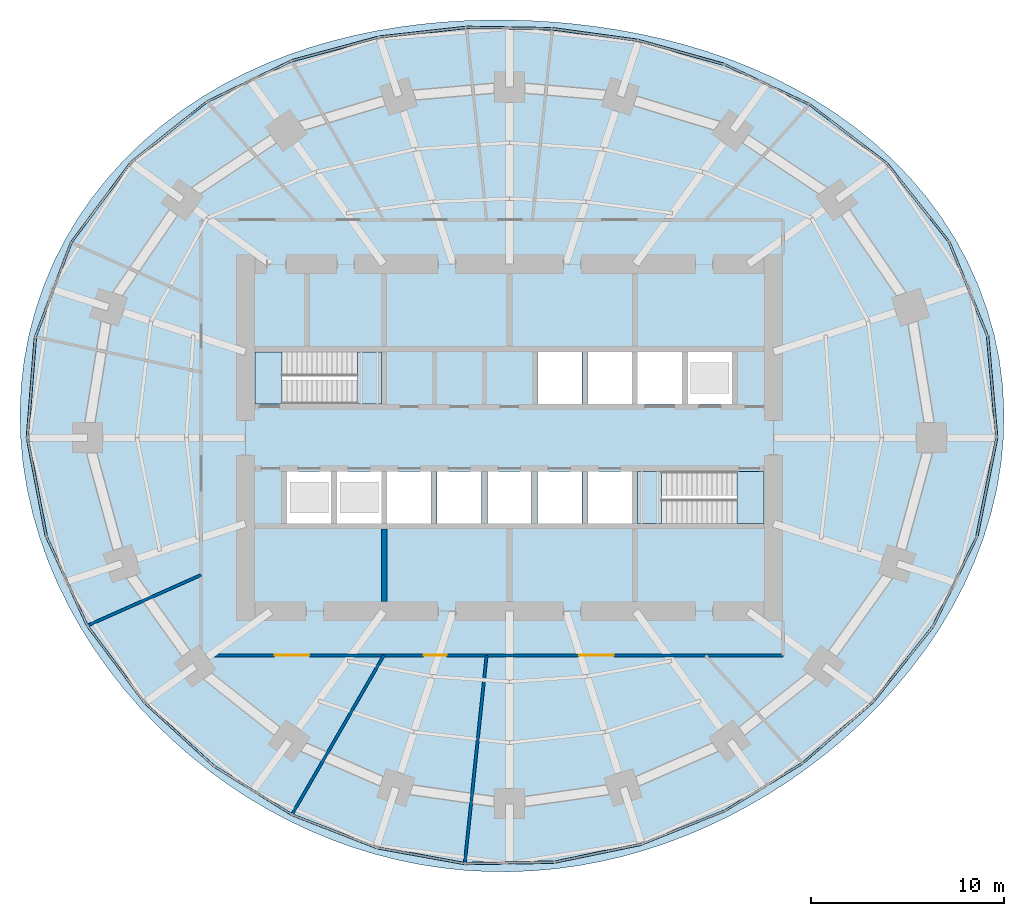
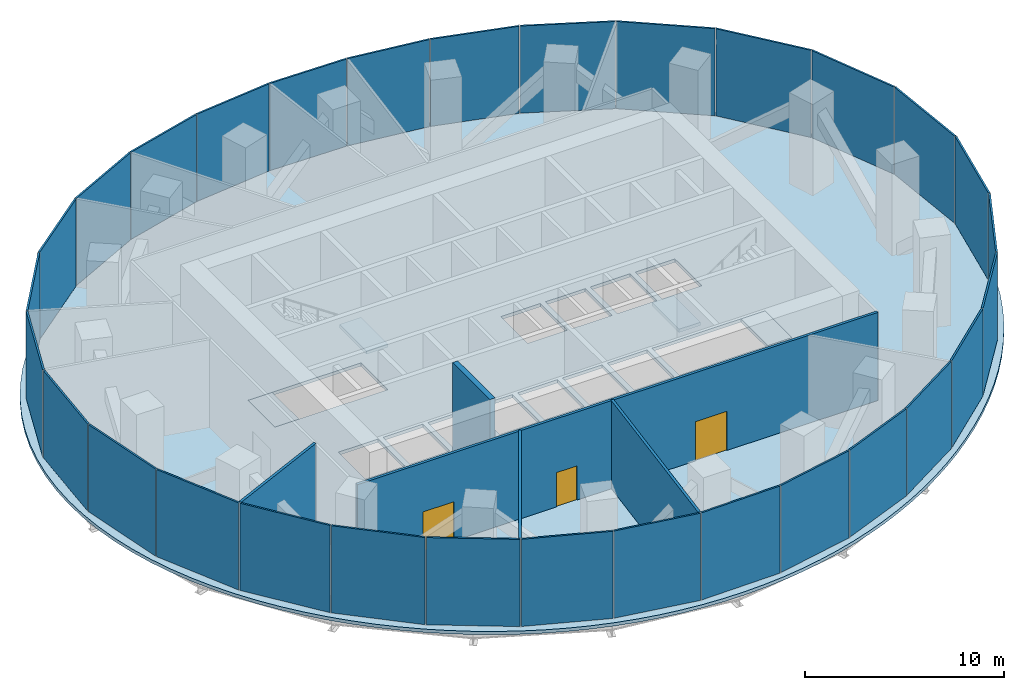
# One storey, part 9 of 14: 30 plates, 5 slabs, 5 walls, 3 doors, 3 openings, 8 elements without a shape of their own.
"""IFC4 building model written with IfcOpenShell, lengths in metres."""

from ifc_helpers import new_model, si_unit, direction, frame, frame_2d, origin, origin_2d, place, context, subcontext, project, spatial, polyline, rectangle, outline, extrude, material, layer, layer_set, type_object, element, fill, aggregate, save


model = new_model("IFC4")

# Units and contexts
model_context = context("Model", 3, precision=1e-05, world=origin(), true_north=direction((0.0, 1.0)))
body_context = subcontext(model_context, "Body", "Model", "MODEL_VIEW")
ifc_project = project(units=[si_unit("LENGTHUNIT", "METRE"), si_unit("AREAUNIT", "SQUARE_METRE"), si_unit("VOLUMEUNIT", "CUBIC_METRE"), si_unit("PLANEANGLEUNIT", "RADIAN"), si_unit("MASSUNIT", "GRAM", prefix="KILO")], contexts=[model_context])

# Site, building, storey
site_placement = place(None, origin())
site = spatial("IfcSite", under=ifc_project, at=site_placement, CompositionType="ELEMENT")
building_placement = place(site_placement, origin())
building = spatial("IfcBuilding", under=site, at=building_placement, Name="Marramba Exchange Tower", CompositionType="ELEMENT")
storey_placement = place(building_placement, frame((0.0, 0.0, 166.5)))
storey = spatial("IfcBuildingStorey", under=building, at=storey_placement, Name="L40", CompositionType="ELEMENT", Elevation=166.5)

# Slab
ifc_material_1 = material(Name="Concrete N40", Category="concrete")
ifc_layer_1 = layer(ifc_material_1, 0.199951171875)
ifc_layer_set_1 = layer_set([ifc_layer_1], Name="Floor slab 200")
slab_type_1 = type_object("IfcSlabType", Name="Floor slab 200", PredefinedType="FLOOR", material=ifc_layer_set_1)
slab_1_placement = place(storey_placement, frame((0.0, 0.0, -0.199951171875)))
element("IfcSlab", 1, at=slab_1_placement, inside=storey, type_object=slab_type_1, Name="Floor slab L40", PredefinedType="FLOOR", context=body_context, shape_type="SweptSolid", body=[
    extrude(outline(polyline([(25.632080078125, 0.0), (25.66064453125, 1.3447265625), (25.59033203125, 2.689697265625), (25.420166015625, 4.026123046875), (25.15087890625, 5.345947265625), (24.7841796875, 6.640869140625), (24.322998046875, 7.903076171875), (23.771484375, 9.125), (23.135009765625, 10.30029296875), (22.419677734375, 11.42333984375), (21.632080078125, 12.4892578125), (20.779541015625, 13.494384765625), (19.869384765625, 14.43603515625), (18.9091796875, 15.3125), (17.90625, 16.122802734375), (16.86767578125, 16.86767578125), (15.800048828125, 17.5478515625), (14.70947265625, 18.164794921875), (13.6015625, 18.720947265625), (12.48095703125, 19.218994140625), (11.3515625, 19.66162109375), (10.217041015625, 20.05224609375), (9.079833984375, 20.393798828125), (7.94189453125, 20.689453125), (6.804443359375, 20.942138671875), (5.668212890625, 21.154296875), (4.533447265625, 21.328369140625), (3.39990234375, 21.46630859375), (2.26708984375, 21.5693359375), (1.134033203125, 21.63818359375), (0.0, 21.673095703125), (-1.135986328125, 21.673828125), (-2.2744140625, 21.6396484375), (-3.416259765625, 21.5693359375), (-4.5615234375, 21.460693359375), (-5.71044921875, 21.31201171875), (-6.8623046875, 21.1201171875), (-8.01611328125, 20.8828125), (-9.170166015625, 20.5966796875), (-10.322509765625, 20.2587890625), (-11.4697265625, 19.8662109375), (-12.60888671875, 19.415771484375), (-13.7353515625, 18.905029296875), (-14.8447265625, 18.331787109375), (-15.931640625, 17.69384765625), (-16.989990234375, 16.989990234375), (-18.013916015625, 16.2197265625), (-18.996826171875, 15.38330078125), (-19.931884765625, 14.4814453125), (-20.8125, 13.515869140625), (-21.632080078125, 12.4892578125), (-22.384033203125, 11.4052734375), (-23.0625, 10.26806640625), (-23.661865234375, 9.0830078125), (-24.177734375, 7.855712890625), (-24.605712890625, 6.593017578125), (-24.943603515625, 5.302001953125), (-25.18896484375, 3.989501953125), (-25.341064453125, 2.663330078125), (-25.400390625, 1.3310546875), (-25.367919921875, 0.0), (-25.246337890625, -1.322998046875), (-25.038818359375, -2.631591796875), (-24.748779296875, -3.919921875), (-24.381103515625, -5.182373046875), (-23.940185546875, -6.414794921875), (-23.431396484375, -7.61328125), (-22.859130859375, -8.77490234375), (-22.22900390625, -9.89697265625), (-21.545166015625, -10.977783203125), (-20.81201171875, -12.015869140625), (-20.033935546875, -13.010009765625), (-19.2138671875, -13.959716796875), (-18.35546875, -14.86376953125), (-17.461181640625, -15.72216796875), (-16.53369140625, -16.53369140625), (-15.5751953125, -17.298095703125), (-14.587646484375, -18.014404296875), (-13.5732421875, -18.681884765625), (-12.533203125, -19.299560546875), (-11.4697265625, -19.8662109375), (-10.384765625, -20.381103515625), (-9.27978515625, -20.8427734375), (-8.157470703125, -21.250732421875), (-7.019287109375, -21.603271484375), (-5.8681640625, -21.900146484375), (-4.7060546875, -22.14013671875), (-3.53564453125, -22.322998046875), (-2.359375, -22.448486328125), (-1.179931640625, -22.516357421875), (0.0, -22.52685546875), (1.17822265625, -22.480712890625), (2.35205078125, -22.3779296875), (3.519287109375, -22.22021484375), (4.677978515625, -22.0078125), (5.825927734375, -21.742431640625), (6.96142578125, -21.425048828125), (8.0830078125, -21.05712890625), (9.189453125, -20.639892578125), (10.279296875, -20.17431640625), (11.3515625, -19.66162109375), (12.4052734375, -19.1025390625), (13.439453125, -18.497802734375), (14.45263671875, -17.847412109375), (15.44384765625, -17.152099609375), (16.411376953125, -16.411376953125), (17.353515625, -15.625244140625), (18.267822265625, -14.79296875), (19.1513671875, -13.914306640625), (20.000732421875, -12.98876953125), (20.81201171875, -12.015869140625), (21.580810546875, -10.995849609375), (22.301513671875, -9.92919921875), (22.96875, -8.81689453125), (23.57666015625, -7.660400390625), (24.11865234375, -6.462646484375), (24.588623046875, -5.2265625), (24.980224609375, -3.95654296875), (25.2880859375, -2.657958984375), (25.5068359375, -1.336669921875), (25.632080078125, 0.0)]), holes=[polyline([(1.449951171875, 1.75), (3.75, 1.75), (3.75, 4.449951171875), (1.449951171875, 4.449951171875), (1.449951171875, 1.75)]), polyline([(4.050048828125, 1.75), (6.35009765625, 1.75), (6.35009765625, 4.449951171875), (4.050048828125, 4.449951171875), (4.050048828125, 1.75)]), polyline([(-6.35009765625, -4.449951171875), (-4.050048828125, -4.449951171875), (-4.050048828125, -1.75), (-6.35009765625, -1.75), (-6.35009765625, -4.449951171875)]), polyline([(-3.75, -4.449951171875), (-1.449951171875, -4.449951171875), (-1.449951171875, -1.75), (-3.75, -1.75), (-3.75, -4.449951171875)]), polyline([(-1.14990234375, -4.449951171875), (1.14990234375, -4.449951171875), (1.14990234375, -1.75), (-1.14990234375, -1.75), (-1.14990234375, -4.449951171875)]), polyline([(1.449951171875, -4.449951171875), (3.75, -4.449951171875), (3.75, -1.75), (1.449951171875, -1.75), (1.449951171875, -4.449951171875)]), polyline([(4.050048828125, -4.449951171875), (6.35009765625, -4.449951171875), (6.35009765625, -1.75), (4.050048828125, -1.75), (4.050048828125, -4.449951171875)]), polyline([(6.64990234375, 1.75), (8.949951171875, 1.75), (8.949951171875, 4.449951171875), (6.64990234375, 4.449951171875), (6.64990234375, 1.75)]), polyline([(-8.949951171875, -4.449951171875), (-6.64990234375, -4.449951171875), (-6.64990234375, -1.75), (-8.949951171875, -1.75), (-8.949951171875, -4.449951171875)]), polyline([(-11.550048828125, -4.449951171875), (-9.25, -4.449951171875), (-9.25, -1.75), (-11.550048828125, -1.75), (-11.550048828125, -4.449951171875)]), polyline([(9.25, 1.75), (11.550048828125, 1.75), (11.550048828125, 4.449951171875), (9.25, 4.449951171875), (9.25, 1.75)]), polyline([(-13.199951171875, 1.75), (-6.64990234375, 1.75), (-6.64990234375, 4.449951171875), (-13.199951171875, 4.449951171875), (-13.199951171875, 1.75)]), polyline([(6.64990234375, -4.449951171875), (13.199951171875, -4.449951171875), (13.199951171875, -1.75), (6.64990234375, -1.75), (6.64990234375, -4.449951171875)])]), origin(), (0.0, 0.0, 1.0), 0.199951171875),
])

# Curtain wall, plates
ifc_material_2 = material(Name="Aluminium framing, bronze anodised", Category="aluminium")
curtain_wall_type = type_object("IfcCurtainWallType", Name="Plant floor louvred curtain wall", PredefinedType="USERDEFINED", material=ifc_material_2)
curtain_wall_1_placement = place(storey_placement, origin())
curtain_wall_1 = element("IfcCurtainWall", 2, at=curtain_wall_1_placement, inside=storey, type_object=curtain_wall_type, Name="Curtain wall CW6 L40 F01-F05", ObjectType="RIBBON CURTAIN WALL", PredefinedType="USERDEFINED")
ifc_material_3 = material(Name="Aluminium louvre bank 100 deep, bronze anodised", Category="aluminium")
ifc_layer_2 = layer(ifc_material_3, 0.10009765625)
ifc_layer_set_2 = layer_set([ifc_layer_2], Name="Plant floor louvred curtain wall panel")
plate_type = type_object("IfcPlateType", Name="Plant floor louvred curtain wall panel", PredefinedType="CURTAIN_PANEL", material=ifc_layer_set_2)
plate_1_placement = place(storey_placement, frame((25.042724609375, 2.66650390625, 0.06005859375), z_axis=(0.0, 0.0, 1.0), x_axis=(-0.089412887889, 0.995994646311, 0.0)))
plate_1 = element("IfcPlate", 3, at=plate_1_placement, type_object=plate_type, Name="CW6 vision panel", PredefinedType="CURTAIN_PANEL", context=body_context, shape_type="SweptSolid", body=[
    extrude(rectangle(XDim=5.234375, YDim=0.10009765625, at=origin_2d()), origin(), (0.0, 0.0, 1.0), 5.340087890625),
])
plate_2_placement = place(storey_placement, frame((23.800537109375, 7.743408203125, 0.06005859375), z_axis=(0.0, 0.0, 1.0), x_axis=(-0.377821183171, 0.925878584668, 0.0)))
plate_2 = element("IfcPlate", 4, at=plate_2_placement, type_object=plate_type, Name="CW6 vision panel", PredefinedType="CURTAIN_PANEL", context=body_context, shape_type="SweptSolid", body=[
    extrude(rectangle(XDim=5.2158203125, YDim=0.10009765625, at=origin_2d()), origin(), (0.0, 0.0, 1.0), 5.340087890625),
])
plate_3_placement = place(storey_placement, frame((21.18212890625, 12.217529296875, 0.06005859375), z_axis=(0.0, 0.0, 1.0), x_axis=(-0.621312004611, 0.783563266703, 0.0)))
plate_3 = element("IfcPlate", 5, at=plate_3_placement, type_object=plate_type, Name="CW6 vision panel", PredefinedType="CURTAIN_PANEL", context=body_context, shape_type="SweptSolid", body=[
    extrude(rectangle(XDim=5.136962890625, YDim=0.10009765625, at=origin_2d()), origin(), (0.0, 0.0, 1.0), 5.340087890625),
])
plate_4_placement = place(storey_placement, frame((17.55224609375, 15.777099609375, 0.06005859375), z_axis=(0.0, 0.0, 1.0), x_axis=(-0.795971748366, 0.60533377223, 0.0)))
plate_4 = element("IfcPlate", 6, at=plate_4_placement, type_object=plate_type, Name="CW6 vision panel", PredefinedType="CURTAIN_PANEL", context=body_context, shape_type="SweptSolid", body=[
    extrude(rectangle(XDim=4.990966796875, YDim=0.10009765625, at=origin_2d()), origin(), (0.0, 0.0, 1.0), 5.340087890625),
])
plate_5_placement = place(storey_placement, frame((13.34423828125, 18.3359375, 0.06005859375), z_axis=(0.0, 0.0, 1.0), x_axis=(-0.904403137485, 0.426678995157, 0.0)))
plate_5 = element("IfcPlate", 7, at=plate_5_placement, type_object=plate_type, Name="CW6 vision panel", PredefinedType="CURTAIN_PANEL", context=body_context, shape_type="SweptSolid", body=[
    extrude(rectangle(XDim=4.793212890625, YDim=0.10009765625, at=origin_2d()), origin(), (0.0, 0.0, 1.0), 5.340087890625),
])
aggregate(curtain_wall_1, [plate_1, plate_2, plate_3, plate_4, plate_5])

curtain_wall_2_placement = place(storey_placement, origin())
curtain_wall_2 = element("IfcCurtainWall", 8, at=curtain_wall_2_placement, inside=storey, type_object=curtain_wall_type, Name="Curtain wall CW6 L40 F06-F10", ObjectType="RIBBON CURTAIN WALL", PredefinedType="USERDEFINED")
plate_6_placement = place(storey_placement, frame((8.907470703125, 19.991943359375, 0.06005859375), z_axis=(0.0, 0.0, 1.0), x_axis=(-0.963177845956, 0.268865090816, 0.0)))
plate_6 = element("IfcPlate", 9, at=plate_6_placement, type_object=plate_type, Name="CW6 vision panel", PredefinedType="CURTAIN_PANEL", context=body_context, shape_type="SweptSolid", body=[
    extrude(rectangle(XDim=4.591552734375, YDim=0.10009765625, at=origin_2d()), origin(), (0.0, 0.0, 1.0), 5.340087890625),
])
plate_7_placement = place(storey_placement, frame((4.43359375, 20.919189453125, 0.06005859375), z_axis=(0.0, 0.0, 1.0), x_axis=(-0.990738212841, 0.135785837319, 0.0)))
plate_7 = element("IfcPlate", 10, at=plate_7_placement, type_object=plate_type, Name="CW6 vision panel", PredefinedType="CURTAIN_PANEL", context=body_context, shape_type="SweptSolid", body=[
    extrude(rectangle(XDim=4.447509765625, YDim=0.10009765625, at=origin_2d()), origin(), (0.0, 0.0, 1.0), 5.340087890625),
])
plate_8_placement = place(storey_placement, frame((-0.03369140625, 21.2568359375, 0.06005859375), z_axis=(0.0, 0.0, 1.0), x_axis=(-0.999875869968, 0.01575578169, 0.0)))
plate_8 = element("IfcPlate", 11, at=plate_8_placement, type_object=plate_type, Name="CW6 vision panel", PredefinedType="CURTAIN_PANEL", context=body_context, shape_type="SweptSolid", body=[
    extrude(rectangle(XDim=4.408935546875, YDim=0.10009765625, at=origin_2d()), origin(), (0.0, 0.0, 1.0), 5.340087890625),
])
plate_9_placement = place(storey_placement, frame((-4.52587890625, 21.0361328125, 0.06005859375), z_axis=(0.0, 0.0, 1.0), x_axis=(-0.993823395532, -0.110973233233, 0.0)))
plate_9 = element("IfcPlate", 12, at=plate_9_placement, type_object=plate_type, Name="CW6 vision panel", PredefinedType="CURTAIN_PANEL", context=body_context, shape_type="SweptSolid", body=[
    extrude(rectangle(XDim=4.484375, YDim=0.10009765625, at=origin_2d()), origin(), (0.0, 0.0, 1.0), 5.340087890625),
])
plate_10_placement = place(storey_placement, frame((-9.053466796875, 20.16748046875, 0.06005859375), z_axis=(0.0, 0.0, 1.0), x_axis=(-0.965522047176, -0.260321294588, 0.0)))
plate_10 = element("IfcPlate", 13, at=plate_10_placement, type_object=plate_type, Name="CW6 vision panel", PredefinedType="CURTAIN_PANEL", context=body_context, shape_type="SweptSolid", body=[
    extrude(rectangle(XDim=4.642578125, YDim=0.10009765625, at=origin_2d()), origin(), (0.0, 0.0, 1.0), 5.340087890625),
])
aggregate(curtain_wall_2, [plate_6, plate_7, plate_8, plate_9, plate_10])

curtain_wall_3_placement = place(storey_placement, origin())
curtain_wall_3 = element("IfcCurtainWall", 14, at=curtain_wall_3_placement, inside=storey, type_object=curtain_wall_type, Name="Curtain wall CW6 L40 F11-F15", ObjectType="RIBBON CURTAIN WALL", PredefinedType="USERDEFINED")
plate_11_placement = place(storey_placement, frame((-13.52294921875, 18.4853515625, 0.06005859375), z_axis=(0.0, 0.0, 1.0), x_axis=(-0.900223739881, -0.435427626771, 0.0)))
plate_11 = element("IfcPlate", 15, at=plate_11_placement, type_object=plate_type, Name="CW6 vision panel", PredefinedType="CURTAIN_PANEL", context=body_context, shape_type="SweptSolid", body=[
    extrude(rectangle(XDim=4.83056640625, YDim=0.10009765625, at=origin_2d()), origin(), (0.0, 0.0, 1.0), 5.340087890625),
])
plate_12_placement = place(storey_placement, frame((-17.696533203125, 15.8359375, 0.06005859375), z_axis=(0.0, 0.0, 1.0), x_axis=(-0.78117833008, -0.624307950145, 0.0)))
plate_12 = element("IfcPlate", 16, at=plate_12_placement, type_object=plate_type, Name="CW6 vision panel", PredefinedType="CURTAIN_PANEL", context=body_context, shape_type="SweptSolid", body=[
    extrude(rectangle(XDim=4.998291015625, YDim=0.10009765625, at=origin_2d()), origin(), (0.0, 0.0, 1.0), 5.340087890625),
])
plate_13_placement = place(storey_placement, frame((-21.213623046875, 12.1767578125, 0.06005859375), z_axis=(0.0, 0.0, 1.0), x_axis=(-0.597703997504, -0.80171686484, 0.0)))
plate_13 = element("IfcPlate", 17, at=plate_13_placement, type_object=plate_type, Name="CW6 vision panel", PredefinedType="CURTAIN_PANEL", context=body_context, shape_type="SweptSolid", body=[
    extrude(rectangle(XDim=5.116455078125, YDim=0.10009765625, at=origin_2d()), origin(), (0.0, 0.0, 1.0), 5.340087890625),
])
plate_14_placement = place(storey_placement, frame((-23.6826171875, 7.6494140625, 0.06005859375), z_axis=(0.0, 0.0, 1.0), x_axis=(-0.354844468484, -0.934925346317, 0.0)))
plate_14 = element("IfcPlate", 18, at=plate_14_placement, type_object=plate_type, Name="CW6 vision panel", PredefinedType="CURTAIN_PANEL", context=body_context, shape_type="SweptSolid", body=[
    extrude(rectangle(XDim=5.177490234375, YDim=0.10009765625, at=origin_2d()), origin(), (0.0, 0.0, 1.0), 5.340087890625),
])
plate_15_placement = place(storey_placement, frame((-24.81201171875, 2.584716796875, 0.06005859375), z_axis=(0.0, 0.0, 1.0), x_axis=(-0.079459696383, -0.996838079455, 0.0)))
plate_15 = element("IfcPlate", 19, at=plate_15_placement, type_object=plate_type, Name="CW6 vision panel", PredefinedType="CURTAIN_PANEL", context=body_context, shape_type="SweptSolid", body=[
    extrude(rectangle(XDim=5.185791015625, YDim=0.10009765625, at=origin_2d()), origin(), (0.0, 0.0, 1.0), 5.340087890625),
])
aggregate(curtain_wall_3, [plate_11, plate_12, plate_13, plate_14, plate_15])

curtain_wall_4_placement = place(storey_placement, origin())
curtain_wall_4 = element("IfcCurtainWall", 20, at=curtain_wall_4_placement, inside=storey, type_object=curtain_wall_type, Name="Curtain wall CW6 L40 F16-F20", ObjectType="RIBBON CURTAIN WALL", PredefinedType="USERDEFINED")
plate_16_placement = place(storey_placement, frame((-24.522705078125, -2.584228515625, 0.06005859375), z_axis=(0.0, 0.0, 1.0), x_axis=(0.18822721487, -0.982125509078, 0.0)))
plate_16 = element("IfcPlate", 21, at=plate_16_placement, type_object=plate_type, Name="CW6 vision panel", PredefinedType="CURTAIN_PANEL", context=body_context, shape_type="SweptSolid", body=[
    extrude(rectangle(XDim=5.142578125, YDim=0.10009765625, at=origin_2d()), origin(), (0.0, 0.0, 1.0), 5.340087890625),
])
plate_17_placement = place(storey_placement, frame((-22.96142578125, -7.45947265625, 0.06005859375), z_axis=(0.0, 0.0, 1.0), x_axis=(0.416737848929, -0.909026713177, 0.0)))
plate_17 = element("IfcPlate", 22, at=plate_17_placement, type_object=plate_type, Name="CW6 vision panel", PredefinedType="CURTAIN_PANEL", context=body_context, shape_type="SweptSolid", body=[
    extrude(rectangle(XDim=5.0498046875, YDim=0.10009765625, at=origin_2d()), origin(), (0.0, 0.0, 1.0), 5.340087890625),
])
plate_18_placement = place(storey_placement, frame((-20.402099609375, -11.7783203125, 0.06005859375), z_axis=(0.0, 0.0, 1.0), x_axis=(0.597304697033, -0.802014400683, 0.0)))
plate_18 = element("IfcPlate", 23, at=plate_18_placement, type_object=plate_type, Name="CW6 vision panel", PredefinedType="CURTAIN_PANEL", context=body_context, shape_type="SweptSolid", body=[
    extrude(rectangle(XDim=4.926513671875, YDim=0.10009765625, at=origin_2d()), origin(), (0.0, 0.0, 1.0), 5.340087890625),
])
plate_19_placement = place(storey_placement, frame((-17.11376953125, -15.416259765625, 0.06005859375), z_axis=(0.0, 0.0, 1.0), x_axis=(0.737821886077, -0.674995455115, 0.0)))
plate_19 = element("IfcPlate", 24, at=plate_19_placement, type_object=plate_type, Name="CW6 vision panel", PredefinedType="CURTAIN_PANEL", context=body_context, shape_type="SweptSolid", body=[
    extrude(rectangle(XDim=4.80517578125, YDim=0.10009765625, at=origin_2d()), origin(), (0.0, 0.0, 1.0), 5.340087890625),
])
plate_20_placement = place(storey_placement, frame((-13.29248046875, -18.31640625, 0.06005859375), z_axis=(0.0, 0.0, 1.0), x_axis=(0.84835459748, -0.52942844364, 0.0)))
plate_20 = element("IfcPlate", 25, at=plate_20_placement, type_object=plate_type, Name="CW6 vision panel", PredefinedType="CURTAIN_PANEL", context=body_context, shape_type="SweptSolid", body=[
    extrude(rectangle(XDim=4.70947265625, YDim=0.10009765625, at=origin_2d()), origin(), (0.0, 0.0, 1.0), 5.340087890625),
])
aggregate(curtain_wall_4, [plate_16, plate_17, plate_18, plate_19, plate_20])

curtain_wall_5_placement = place(storey_placement, origin())
curtain_wall_5 = element("IfcCurtainWall", 26, at=curtain_wall_5_placement, inside=storey, type_object=curtain_wall_type, Name="Curtain wall CW6 L40 F21-F25", ObjectType="RIBBON CURTAIN WALL", PredefinedType="USERDEFINED")
plate_21_placement = place(storey_placement, frame((-9.074951171875, -20.427734375, 0.06005859375), z_axis=(0.0, 0.0, 1.0), x_axis=(0.931818390344, -0.36292490603, 0.0)))
plate_21 = element("IfcPlate", 27, at=plate_21_placement, type_object=plate_type, Name="CW6 vision panel", PredefinedType="CURTAIN_PANEL", context=body_context, shape_type="SweptSolid", body=[
    extrude(rectangle(XDim=4.644287109375, YDim=0.10009765625, at=origin_2d()), origin(), (0.0, 0.0, 1.0), 5.340087890625),
])
plate_22_placement = place(storey_placement, frame((-4.58740234375, -21.690673828125, 0.06005859375), z_axis=(0.0, 0.0, 1.0), x_axis=(0.984031865834, -0.177992379115, 0.0)))
plate_22 = element("IfcPlate", 28, at=plate_22_placement, type_object=plate_type, Name="CW6 vision panel", PredefinedType="CURTAIN_PANEL", context=body_context, shape_type="SweptSolid", body=[
    extrude(rectangle(XDim=4.602783203125, YDim=0.10009765625, at=origin_2d()), origin(), (0.0, 0.0, 1.0), 5.340087890625),
])
plate_23_placement = place(storey_placement, frame((0.0263671875, -22.064697265625, 0.06005859375), z_axis=(0.0, 0.0, 1.0), x_axis=(0.999884797709, 0.015178646521, 0.0)))
plate_23 = element("IfcPlate", 29, at=plate_23_placement, type_object=plate_type, Name="CW6 vision panel", PredefinedType="CURTAIN_PANEL", context=body_context, shape_type="SweptSolid", body=[
    extrude(rectangle(XDim=4.578857421875, YDim=0.10009765625, at=origin_2d()), origin(), (0.0, 0.0, 1.0), 5.340087890625),
])
plate_24_placement = place(storey_placement, frame((4.61376953125, -21.554931640625, 0.06005859375), z_axis=(0.0, 0.0, 1.0), x_axis=(0.979310199794, 0.202364850159, 0.0)))
plate_24 = element("IfcPlate", 30, at=plate_24_placement, type_object=plate_type, Name="CW6 vision panel", PredefinedType="CURTAIN_PANEL", context=body_context, shape_type="SweptSolid", body=[
    extrude(rectangle(XDim=4.57373046875, YDim=0.10009765625, at=origin_2d()), origin(), (0.0, 0.0, 1.0), 5.340087890625),
])
plate_25_placement = place(storey_placement, frame((9.042724609375, -20.214111328125, 0.06005859375), z_axis=(0.0, 0.0, 1.0), x_axis=(0.928148916059, 0.372209067082, 0.0)))
plate_25 = element("IfcPlate", 31, at=plate_25_placement, type_object=plate_type, Name="CW6 vision panel", PredefinedType="CURTAIN_PANEL", context=body_context, shape_type="SweptSolid", body=[
    extrude(rectangle(XDim=4.59814453125, YDim=0.10009765625, at=origin_2d()), origin(), (0.0, 0.0, 1.0), 5.340087890625),
])
aggregate(curtain_wall_5, [plate_21, plate_22, plate_23, plate_24, plate_25])

curtain_wall_6_placement = place(storey_placement, origin())
curtain_wall_6 = element("IfcCurtainWall", 32, at=curtain_wall_6_placement, inside=storey, type_object=curtain_wall_type, Name="Curtain wall CW6 L40 F26-F30", ObjectType="RIBBON CURTAIN WALL", PredefinedType="USERDEFINED")
plate_26_placement = place(storey_placement, frame((13.21875, -18.109619140625, 0.06005859375), z_axis=(0.0, 0.0, 1.0), x_axis=(0.853109114492, 0.521732535664, 0.0)))
plate_26 = element("IfcPlate", 33, at=plate_26_placement, type_object=plate_type, Name="CW6 vision panel", PredefinedType="CURTAIN_PANEL", context=body_context, shape_type="SweptSolid", body=[
    extrude(rectangle(XDim=4.66748046875, YDim=0.10009765625, at=origin_2d()), origin(), (0.0, 0.0, 1.0), 5.340087890625),
])
plate_27_placement = place(storey_placement, frame((17.0615234375, -15.280517578125, 0.06005859375), z_axis=(0.0, 0.0, 1.0), x_axis=(0.754385506384, 0.656431647438, 0.0)))
plate_27 = element("IfcPlate", 34, at=plate_27_placement, type_object=plate_type, Name="CW6 vision panel", PredefinedType="CURTAIN_PANEL", context=body_context, shape_type="SweptSolid", body=[
    extrude(rectangle(XDim=4.789794921875, YDim=0.10009765625, at=origin_2d()), origin(), (0.0, 0.0, 1.0), 5.340087890625),
])
plate_28_placement = place(storey_placement, frame((20.443603515625, -11.724365234375, 0.06005859375), z_axis=(0.0, 0.0, 1.0), x_axis=(0.621807472329, 0.783170139469, 0.0)))
plate_28 = element("IfcPlate", 35, at=plate_28_placement, type_object=plate_type, Name="CW6 vision panel", PredefinedType="CURTAIN_PANEL", context=body_context, shape_type="SweptSolid", body=[
    extrude(rectangle(XDim=4.947265625, YDim=0.10009765625, at=origin_2d()), origin(), (0.0, 0.0, 1.0), 5.340087890625),
])
plate_29_placement = place(storey_placement, frame((23.127197265625, -7.443359375, 0.06005859375), z_axis=(0.0, 0.0, 1.0), x_axis=(0.439086342308, 0.89844486976, 0.0)))
plate_29 = element("IfcPlate", 36, at=plate_29_placement, type_object=plate_type, Name="CW6 vision panel", PredefinedType="CURTAIN_PANEL", context=body_context, shape_type="SweptSolid", body=[
    extrude(rectangle(XDim=5.096923828125, YDim=0.10009765625, at=origin_2d()), origin(), (0.0, 0.0, 1.0), 5.340087890625),
])
plate_30_placement = place(storey_placement, frame((24.77001953125, -2.54736328125, 0.06005859375), z_axis=(0.0, 0.0, 1.0), x_axis=(0.197048511267, 0.980393739376, 0.0)))
plate_30 = element("IfcPlate", 37, at=plate_30_placement, type_object=plate_type, Name="CW6 vision panel", PredefinedType="CURTAIN_PANEL", context=body_context, shape_type="SweptSolid", body=[
    extrude(rectangle(XDim=5.19677734375, YDim=0.10009765625, at=origin_2d()), origin(), (0.0, 0.0, 1.0), 5.340087890625),
])
aggregate(curtain_wall_6, [plate_26, plate_27, plate_28, plate_29, plate_30])

# Stair, slabs
ifc_material_4 = material(Name="Concrete N40 (40 MPa)", Category="concrete")
stair_type_1 = type_object("IfcStairType", Name="Exit stair ST1 5600 x 1250", PredefinedType="HALF_TURN_STAIR", material=ifc_material_4)
stair_1_placement = place(storey_placement, origin())
stair_1 = element("IfcStair", 38, at=stair_1_placement, inside=storey, type_object=stair_type_1, Name="Exit stair ST1 L40", PredefinedType="HALF_TURN_STAIR")
ifc_layer_3 = layer(ifc_material_4, 0.199951171875)
ifc_layer_set_3 = layer_set([ifc_layer_3], Name="Stair landing 200")
slab_type_2 = type_object("IfcSlabType", Name="Stair landing 200", PredefinedType="LANDING", material=ifc_layer_set_3)
slab_2_placement = place(storey_placement, frame((0.0, 0.0, -0.199951171875)))
slab_2 = element("IfcSlab", 39, at=slab_2_placement, type_object=slab_type_2, Name="ST1 landing 1", PredefinedType="LANDING", context=body_context, shape_type="SweptSolid", body=[
    extrude(outline(polyline([(-13.199951171875, 1.75), (-11.800048828125, 1.75), (-11.800048828125, 4.449951171875), (-13.199951171875, 4.449951171875), (-13.199951171875, 1.75)])), origin(), (0.0, 0.0, 1.0), 0.199951171875),
])
slab_3_placement = place(storey_placement, frame((0.0, 0.0, 2.60009765625)))
slab_3 = element("IfcSlab", 40, at=slab_3_placement, type_object=slab_type_2, Name="ST1 landing 2", PredefinedType="LANDING", context=body_context, shape_type="SweptSolid", body=[
    extrude(outline(polyline([(-7.89990234375, 1.75), (-6.64990234375, 1.75), (-6.64990234375, 4.449951171875), (-7.89990234375, 4.449951171875), (-7.89990234375, 1.75)])), origin(), (0.0, 0.0, 1.0), 0.199951171875),
])
aggregate(stair_1, [slab_2, slab_3])

stair_type_2 = type_object("IfcStairType", Name="Exit stair ST2 5600 x 1250", PredefinedType="HALF_TURN_STAIR", material=ifc_material_4)
stair_2_placement = place(storey_placement, origin())
stair_2 = element("IfcStair", 41, at=stair_2_placement, inside=storey, type_object=stair_type_2, Name="Exit stair ST2 L40", PredefinedType="HALF_TURN_STAIR")
slab_4_placement = place(storey_placement, frame((0.0, 0.0, -0.199951171875)))
slab_4 = element("IfcSlab", 42, at=slab_4_placement, type_object=slab_type_2, Name="ST2 landing 1", PredefinedType="LANDING", context=body_context, shape_type="SweptSolid", body=[
    extrude(outline(polyline([(11.800048828125, -4.449951171875), (13.199951171875, -4.449951171875), (13.199951171875, -1.75), (11.800048828125, -1.75), (11.800048828125, -4.449951171875)])), origin(), (0.0, 0.0, 1.0), 0.199951171875),
])
slab_5_placement = place(storey_placement, frame((0.0, 0.0, 2.60009765625)))
slab_5 = element("IfcSlab", 43, at=slab_5_placement, type_object=slab_type_2, Name="ST2 landing 2", PredefinedType="LANDING", context=body_context, shape_type="SweptSolid", body=[
    extrude(outline(polyline([(6.64990234375, -4.449951171875), (7.89990234375, -4.449951171875), (7.89990234375, -1.75), (6.64990234375, -1.75), (6.64990234375, -4.449951171875)])), origin(), (0.0, 0.0, 1.0), 0.199951171875),
])
aggregate(stair_2, [slab_4, slab_5])

# Walls
ifc_material_5 = material(Name="Concrete N50", Category="concrete")
ifc_layer_4 = layer(ifc_material_5, 0.300048828125)
ifc_layer_set_4 = layer_set([ifc_layer_4], Name="Core wall 300")
wall_type_1 = type_object("IfcWallType", Name="Core wall 300", PredefinedType="SHEAR", material=ifc_layer_set_4)
wall_1_placement = place(storey_placement, frame((-6.5, -4.75, 0.0), z_axis=(0.0, 0.0, 1.0), x_axis=(0.0, -1.0, 0.0)))
element("IfcWall", 44, at=wall_1_placement, inside=storey, type_object=wall_type_1, Name="Core wall X0Sb L40", PredefinedType="SHEAR", context=body_context, shape_type="SweptSolid", body=[
    extrude(rectangle(XDim=3.75, YDim=0.300048828125, at=frame_2d((1.875, 0.0))), origin(), (0.0, 0.0, 1.0), 5.60009765625),
])
ifc_material_6 = material(Name="Fire-rated plasterboard on steel studs, acoustic insulation", Category="steel")
ifc_layer_5 = layer(ifc_material_6, 0.14990234375)
ifc_layer_set_5 = layer_set([ifc_layer_5], Name="Tenancy wall 150")
wall_type_2 = type_object("IfcWallType", Name="Tenancy wall 150", PredefinedType="PARTITIONING", material=ifc_layer_set_5)
wall_2_placement = place(storey_placement, frame((-16.0, -7.123779296875, 0.0), z_axis=(0.0, 0.0, 1.0), x_axis=(-0.913548180065, -0.406730528359, 0.0)))
element("IfcWall", 45, at=wall_2_placement, inside=storey, type_object=wall_type_2, Name="Tenancy wall L40 01", PredefinedType="PARTITIONING", context=body_context, shape_type="SweptSolid", body=[
    extrude(rectangle(XDim=6.388427734375, YDim=0.14990234375, at=frame_2d((3.1943359375, 0.0))), origin(), (0.0, 0.0, 1.0), 5.39990234375),
])
wall_3_placement = place(storey_placement, frame((-6.524169921875, -11.300048828125, 0.0), z_axis=(0.0, 0.0, 1.0), x_axis=(-0.499999424553, -0.866025736019, 0.0)))
element("IfcWall", 46, at=wall_3_placement, inside=storey, type_object=wall_type_2, Name="Tenancy wall L40 02", PredefinedType="PARTITIONING", context=body_context, shape_type="SweptSolid", body=[
    extrude(rectangle(XDim=9.46142578125, YDim=0.14990234375, at=frame_2d((4.730712890625, 0.0))), origin(), (0.0, 0.0, 1.0), 5.39990234375),
])
wall_4_placement = place(storey_placement, frame((-1.187744140625, -11.300048828125, 0.0), z_axis=(0.0, 0.0, 1.0), x_axis=(-0.104520910244, -0.994522689194, 0.0)))
element("IfcWall", 47, at=wall_4_placement, inside=storey, type_object=wall_type_2, Name="Tenancy wall L40 03", PredefinedType="PARTITIONING", context=body_context, shape_type="SweptSolid", body=[
    extrude(rectangle(XDim=10.77978515625, YDim=0.14990234375, at=frame_2d((5.389892578125, 0.0))), origin(), (0.0, 0.0, 1.0), 5.39990234375),
])

# Wall, openings, doors
wall_5_placement = place(storey_placement, frame((-16.0, -11.300048828125, 0.0), z_axis=(0.0, 0.0, 1.0), x_axis=(1.0, 0.0, 0.0)))
wall_5 = element("IfcWall", 48, at=wall_5_placement, inside=storey, type_object=wall_type_2, Name="Tenancy wall L40 04", PredefinedType="PARTITIONING", context=body_context, shape_type="SweptSolid", body=[
    extrude(rectangle(XDim=30.199951171875, YDim=0.14990234375, at=frame_2d((15.10009765625, 0.0))), origin(), (0.0, 0.0, 1.0), 5.39990234375),
])
opening_1_placement = place(wall_5_placement, frame((3.81298828125, 0.0, 0.0)))
opening_1 = element("IfcOpeningElement", 49, at=opening_1_placement, cuts=wall_5, Name="Opening D18", PredefinedType="OPENING", context=body_context, shape_type="SweptSolid", body=[
    extrude(rectangle(XDim=1.800048828125, YDim=2.39990234375, at=frame_2d((0.89990234375, 1.199951171875))), frame((0.0, 0.0849609375, 0.0), z_axis=(0.0, -1.0, 0.0), x_axis=(1.0, 0.0, 0.0)), (0.0, 0.0, 1.0), 0.169921875),
])
opening_2_placement = place(wall_5_placement, frame((11.5439453125, 0.0, 0.0)))
opening_2 = element("IfcOpeningElement", 50, at=opening_2_placement, cuts=wall_5, Name="Opening D16", PredefinedType="OPENING", context=body_context, shape_type="SweptSolid", body=[
    extrude(rectangle(XDim=1.199951171875, YDim=2.10009765625, at=frame_2d((0.60009765625, 1.050048828125))), frame((0.0, 0.0849609375, 0.0), z_axis=(0.0, -1.0, 0.0), x_axis=(1.0, 0.0, 0.0)), (0.0, 0.0, 1.0), 0.169921875),
])
opening_3_placement = place(wall_5_placement, frame((19.617919921875, 0.0, 0.0)))
opening_3 = element("IfcOpeningElement", 51, at=opening_3_placement, cuts=wall_5, Name="Opening D18", PredefinedType="OPENING", context=body_context, shape_type="SweptSolid", body=[
    extrude(rectangle(XDim=1.800048828125, YDim=2.39990234375, at=frame_2d((0.89990234375, 1.199951171875))), frame((0.0, 0.0849609375, 0.0), z_axis=(0.0, -1.0, 0.0), x_axis=(1.0, 0.0, 0.0)), (0.0, 0.0, 1.0), 0.169921875),
])
ifc_material_7 = material(Name="Steel-framed door", Category="steel")
door_type_1 = type_object("IfcDoorType", Name="Door pair 1800x2400", OperationType="DOUBLE_DOOR_SINGLE_SWING", PredefinedType="DOOR", material=ifc_material_7)
door_1_placement = place(opening_1_placement, origin())
door_1 = element("IfcDoor", 52, at=door_1_placement, inside=storey, type_object=door_type_1, Name="D18 AHU Plant Room 2 L40", OperationType="DOUBLE_DOOR_SINGLE_SWING", OverallHeight=2.39990234375, OverallWidth=1.800048828125, PredefinedType="DOOR", context=body_context, shape_type="SweptSolid", body=[
    extrude(rectangle(XDim=1.800048828125, YDim=2.39990234375, at=frame_2d((0.89990234375, 1.199951171875))), frame((0.0, 0.02490234375, 0.0), z_axis=(0.0, -1.0, 0.0), x_axis=(1.0, 0.0, 0.0)), (0.0, 0.0, 1.0), 0.050048828125),
])
fill(opening_1, door_1)
door_2_placement = place(opening_3_placement, origin())
door_2 = element("IfcDoor", 53, at=door_2_placement, inside=storey, type_object=door_type_1, Name="D18 Chilled Water Plant Room L40", OperationType="DOUBLE_DOOR_SINGLE_SWING", OverallHeight=2.39990234375, OverallWidth=1.800048828125, PredefinedType="DOOR", context=body_context, shape_type="SweptSolid", body=[
    extrude(rectangle(XDim=1.800048828125, YDim=2.39990234375, at=frame_2d((0.89990234375, 1.199951171875))), frame((0.0, 0.02490234375, 0.0), z_axis=(0.0, -1.0, 0.0), x_axis=(1.0, 0.0, 0.0)), (0.0, 0.0, 1.0), 0.050048828125),
])
fill(opening_3, door_2)
door_type_2 = type_object("IfcDoorType", Name="Equipment room door 1200x2100", OperationType="SINGLE_SWING_LEFT", PredefinedType="DOOR", material=ifc_material_7)
door_3_placement = place(opening_2_placement, origin())
door_3 = element("IfcDoor", 54, at=door_3_placement, inside=storey, type_object=door_type_2, Name="D16 Outdoor Air Intake Plant Room 2 L40", OperationType="SINGLE_SWING_LEFT", OverallHeight=2.10009765625, OverallWidth=1.199951171875, PredefinedType="DOOR", context=body_context, shape_type="SweptSolid", body=[
    extrude(rectangle(XDim=1.199951171875, YDim=2.10009765625, at=frame_2d((0.60009765625, 1.050048828125))), frame((0.0, 0.02490234375, 0.0), z_axis=(0.0, -1.0, 0.0), x_axis=(1.0, 0.0, 0.0)), (0.0, 0.0, 1.0), 0.050048828125),
])
fill(opening_2, door_3)

save(model, "model.ifc")
